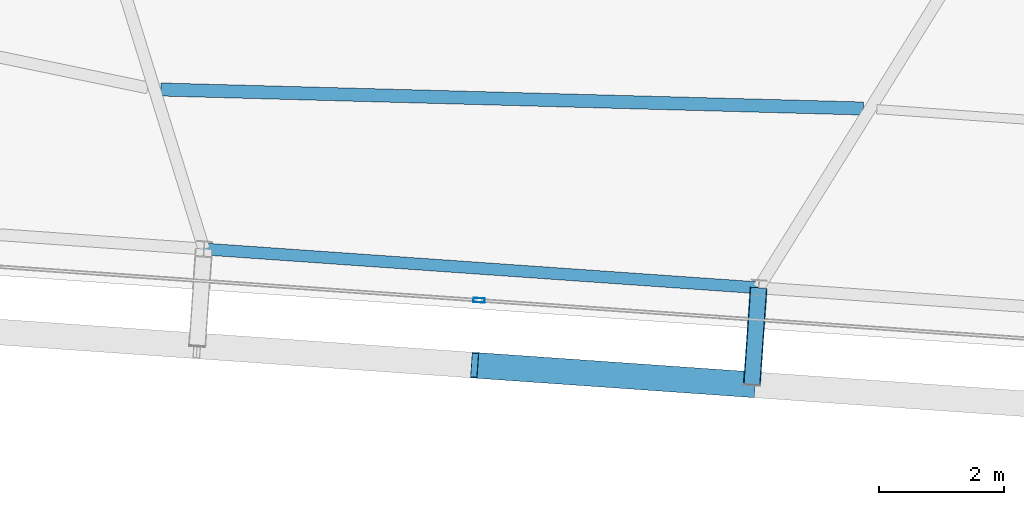
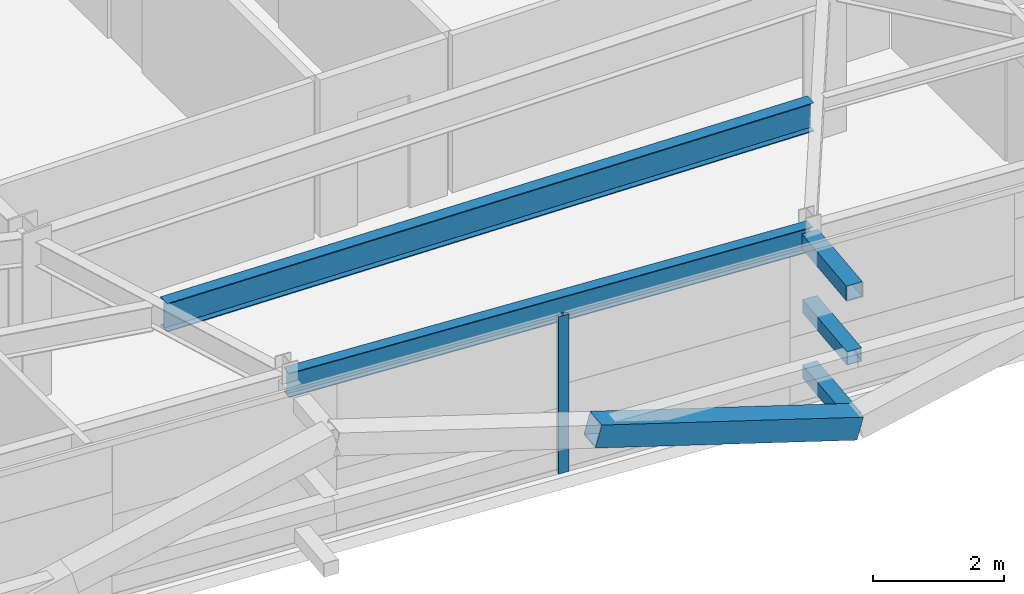
# One storey, part 9 of 39: 5 members, 2 beams, 1 element without a shape of its own.
"""IFC4 building model written with IfcOpenShell, lengths in metres."""

from ifc_helpers import new_model, si_unit, direction, frame, origin, origin_2d, place, context, subcontext, project, spatial, hollow_rectangle, i_section, extrude, source, transform, mapped, material, layer, layer_set, material_profile, profile_set, type_object, element, aggregate, save


model = new_model("IFC4")

# Units and contexts
model_context = context("Model", 3, precision=1e-05, world=origin(), true_north=direction((0.0, 1.0)))
body_context = subcontext(model_context, "Body", "Model", "MODEL_VIEW")
ifc_project = project(units=[si_unit("LENGTHUNIT", "METRE"), si_unit("AREAUNIT", "SQUARE_METRE"), si_unit("VOLUMEUNIT", "CUBIC_METRE"), si_unit("PLANEANGLEUNIT", "RADIAN"), si_unit("MASSUNIT", "GRAM", prefix="KILO")], contexts=[model_context])

# Site, building, storey
site_placement = place(None, origin())
site = spatial("IfcSite", under=ifc_project, at=site_placement, CompositionType="ELEMENT")
building_placement = place(site_placement, origin())
building = spatial("IfcBuilding", under=site, at=building_placement, Name="Taldren Reach Tower", CompositionType="ELEMENT")
storey_placement = place(building_placement, frame((0.0, 0.0, 129.85009765625)))
storey = spatial("IfcBuildingStorey", under=building, at=storey_placement, Name="L39", CompositionType="ELEMENT", Elevation=129.85009765625)

# Members
ifc_material_1 = material(Name="Steel Gr 450 (C450L0)", Category="steel")
ifc_material_profile_1 = material_profile(ifc_material_1, hollow_rectangle(XDim=0.27490234375, YDim=0.27490234375, WallThickness=0.00927734375, at=origin_2d()), Name="275x275x9.3SHS")
ifc_profile_set_1 = profile_set([ifc_material_profile_1], Name="Steel Gr 450 (C450L0)")
member_type_1 = type_object("IfcMemberType", Name="MB-TIE273", PredefinedType="STRUT", material=ifc_profile_set_1)
shared_shape_1 = source(origin(), body_context, "Body", "SweptSolid", [
    extrude(hollow_rectangle(XDim=0.27490234375, YDim=0.27490234375, WallThickness=0.00927734375, at=origin_2d()), origin(), (0.0, 0.0, 1.0), 1.550048828125),
])
member_1_placement = place(storey_placement, frame((38.438720703125, 3.480224609375, 2.64990234375), z_axis=(-0.06976957191, -0.99756313426, 0.0), x_axis=(0.99756313426, -0.06976957191, 0.0)))
element("IfcMember", 1, at=member_1_placement, inside=storey, type_object=member_type_1, Name="Exoskeleton diaphragm tie strut B3-S4 L39", PredefinedType="STRUT", context=body_context, shape_type="MappedRepresentation", body=[
    mapped(shared_shape_1, transform((0.0, 0.0, 0.0), scale=1.0)),
])
ifc_material_2 = material(Name="Steel Gr 350 (C350L0)", Category="steel")
ifc_material_profile_2 = material_profile(ifc_material_2, hollow_rectangle(XDim=0.25, YDim=0.25, WallThickness=0.010009765625, at=origin_2d()), Name="250x250x10.0SHS")
ifc_profile_set_2 = profile_set([ifc_material_profile_2], Name="Steel Gr 350 (C350L0)")
member_type_2 = type_object("IfcMemberType", Name="MB-POST250", PredefinedType="POST", material=ifc_profile_set_2)
shared_shape_2 = source(origin(), body_context, "Body", "SweptSolid", [
    extrude(hollow_rectangle(XDim=0.25, YDim=0.25, WallThickness=0.010009765625, at=origin_2d()), origin(), (0.0, 0.0, 1.0), 1.550048828125),
])
for number, where, z_axis, x_axis, name in (
    (2, (38.438720703125, 3.480224609375, 0.219970703125), (-0.06976957191, -0.99756313426, 0.0), (0.99756313426, -0.06976957191, 0.0), "Exoskeleton base diaphragm tie strut B3-S4 L39"),
    (3, (38.438720703125, 3.480224609375, 1.434814453125), (-0.06976957191, -0.99756313426, 0.0), (0.99756313426, -0.06976957191, 0.0), "Exoskeleton mid-tier diaphragm tie B3-S4 L39"),
):
    element("IfcMember", number, at=place(storey_placement, frame(where, z_axis=z_axis, x_axis=x_axis)), inside=storey, type_object=member_type_2, Name=name, PredefinedType="POST", context=body_context, shape_type="MappedRepresentation", body=[
        mapped(shared_shape_2, transform((0.0, 0.0, 0.0), scale=1.0)),
    ])

# Beams
ifc_material_3 = material(Name="Steel Gr 350 (350PLUS)", Category="steel")
ifc_material_profile_3 = material_profile(ifc_material_3, i_section(OverallWidth=0.18994140625, OverallDepth=0.4541015625, WebThickness=0.008544921875, FlangeThickness=0.0126953125, at=origin_2d()), Name="460UB67.1")
ifc_profile_set_3 = profile_set([ifc_material_profile_3], Name="Steel Gr 350 (350PLUS)")
beam_type_1 = type_object("IfcBeamType", Name="SP-UB460B", PredefinedType="SPANDREL", material=ifc_profile_set_3)
shared_shape_3 = source(origin(), body_context, "Body", "SweptSolid", [
    extrude(i_section(OverallWidth=0.18994140625, OverallDepth=0.4541015625, WebThickness=0.008544921875, FlangeThickness=0.0126953125, at=origin_2d()), origin(), (0.0, 0.0, 1.0), 8.880126953125),
])
beam_1_placement = place(storey_placement, frame((29.580322265625, 4.099609375, 2.702880859375), z_axis=(0.997564479639, -0.069750333063, 0.0), x_axis=(0.069750333063, 0.997564479639, 0.0)))
element("IfcBeam", 4, at=beam_1_placement, inside=storey, type_object=beam_type_1, Name="Perimeter spandrel B3 S3-S4 L39", PredefinedType="SPANDREL", context=body_context, shape_type="MappedRepresentation", body=[
    mapped(shared_shape_3, transform((0.0, 0.0, 0.0), scale=1.0)),
])
ifc_material_profile_4 = material_profile(ifc_material_3, i_section(OverallWidth=0.208984375, OverallDepth=0.532958984375, WebThickness=0.01025390625, FlangeThickness=0.015625, at=origin_2d()), Name="530UB92.4")
ifc_profile_set_4 = profile_set([ifc_material_profile_4], Name="Steel Gr 350 (350PLUS)")
beam_type_2 = type_object("IfcBeamType", Name="BM-UB530A", PredefinedType="BEAM", material=ifc_profile_set_4)
shared_shape_4 = source(origin(), body_context, "Body", "SweptSolid", [
    extrude(i_section(OverallWidth=0.208984375, OverallDepth=0.532958984375, WebThickness=0.01025390625, FlangeThickness=0.015625, at=origin_2d()), origin(), (0.0, 0.0, 1.0), 11.221923828125),
])
beam_2_placement = place(storey_placement, frame((28.890869140625, 6.64697265625, 2.663330078125), z_axis=(0.999633109536, -0.027085906272, 0.0), x_axis=(0.027085906272, 0.999633109536, 0.0)))
element("IfcBeam", 5, at=beam_2_placement, inside=storey, type_object=beam_type_2, Name="Secondary floor beam B3 J3 L39", PredefinedType="BEAM", context=body_context, shape_type="MappedRepresentation", body=[
    mapped(shared_shape_4, transform((0.0, 0.0, 0.0), scale=1.0)),
])

# Member
ifc_material_profile_5 = material_profile(ifc_material_1, hollow_rectangle(XDim=0.409912109375, YDim=0.409912109375, WallThickness=0.01611328125, at=origin_2d()), Name="410x410x16.0SHS")
ifc_profile_set_5 = profile_set([ifc_material_profile_5], Name="Steel Gr 450 (C450L0)")
member_type_3 = type_object("IfcMemberType", Name="MB-EXO406", PredefinedType="BRACE", material=ifc_profile_set_5)
shared_shape_5 = source(origin(), body_context, "Body", "SweptSolid", [
    extrude(hollow_rectangle(XDim=0.409912109375, YDim=0.409912109375, WallThickness=0.01611328125, at=origin_2d()), origin(), (0.0, 0.0, 1.0), 4.603271484375),
])
member_2_placement = place(storey_placement, frame((38.33056640625, 1.933837890625, 0.219970703125), z_axis=(-0.962195820062, 0.067303852699, 0.263911718699), x_axis=(-0.06977769246, -0.997562566276, 0.0)))
element("IfcMember", 6, at=member_2_placement, inside=storey, type_object=member_type_3, Name="Exoskeleton Diagrid Brace B3-S3 L39", PredefinedType="BRACE", context=body_context, shape_type="MappedRepresentation", body=[
    mapped(shared_shape_5, transform((0.0, 0.0, 0.0), scale=1.0)),
])

# Curtain wall, member
ifc_material_4 = material(Name="Aluminium and Low-E Glass Unitised System", Category="aluminium")
ifc_layer = layer(ifc_material_4, 0.159912109375)
ifc_layer_set = layer_set([ifc_layer], Name="Aluminium and Low-E Glass Unitised System")
curtain_wall_type = type_object("IfcCurtainWallType", Name="CW-SYS-4", PredefinedType="NOTDEFINED", material=ifc_layer_set)
curtain_wall_placement = place(storey_placement, origin())
curtain_wall = element("IfcCurtainWall", 7, at=curtain_wall_placement, inside=storey, type_object=curtain_wall_type, Name="Unitised curtain wall CW-L39-S", PredefinedType="NOTDEFINED")
ifc_material_5 = material(Name="Anodised Aluminium 6063-T6", Category="aluminium")
ifc_material_profile_6 = material_profile(ifc_material_5, hollow_rectangle(XDim=0.070068359375, YDim=0.179931640625, WallThickness=0.00390625, at=origin_2d()), Name="ALU-180x70x4RHS")
ifc_profile_set_6 = profile_set([ifc_material_profile_6], Name="Anodised Aluminium 6063-T6")
member_type_4 = type_object("IfcMemberType", Name="CW-MUL-180", PredefinedType="MULLION", material=ifc_profile_set_6)
shared_shape_6 = source(origin(), body_context, "Body", "SweptSolid", [
    extrude(hollow_rectangle(XDim=0.070068359375, YDim=0.179931640625, WallThickness=0.00390625, at=origin_2d()), origin(), (0.0, 0.0, 1.0), 2.929931640625),
])
member_3_placement = place(storey_placement, frame((33.973876953125, 3.281005859375, 0.0), z_axis=(0.0, 0.0, 1.0), x_axis=(0.06975651593, 0.99756404731, 0.0)))
member_3 = element("IfcMember", 8, at=member_3_placement, type_object=member_type_4, Name="CW-4 mullion 3", PredefinedType="MULLION", context=body_context, shape_type="MappedRepresentation", body=[
    mapped(shared_shape_6, transform((0.0, 0.0, 0.0), scale=1.0)),
])
aggregate(curtain_wall, [member_3])

save(model, "model.ifc")
